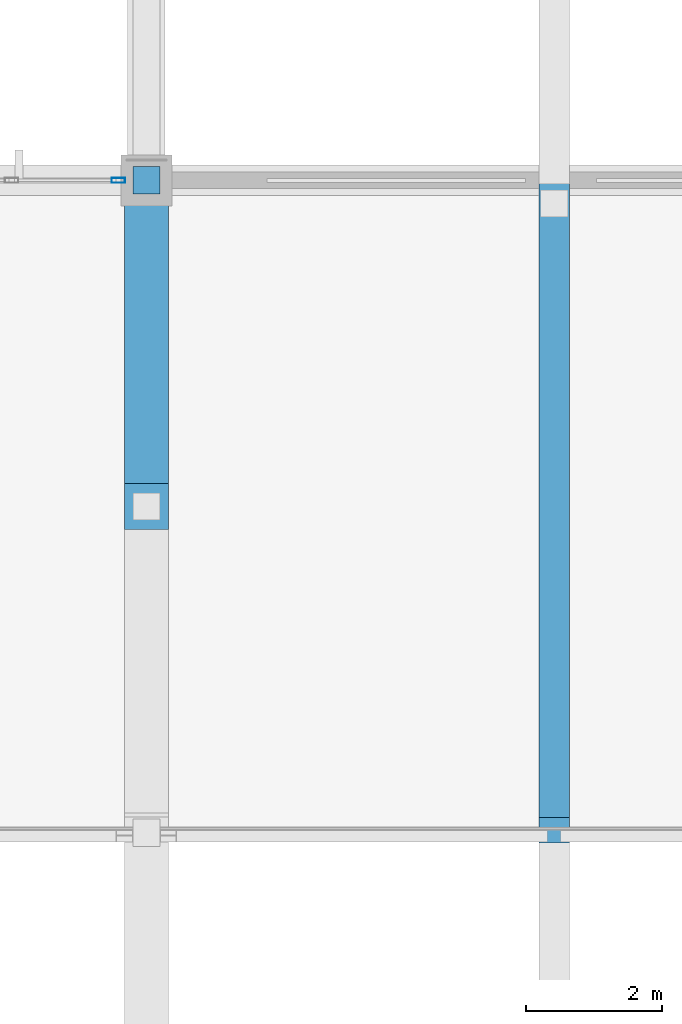
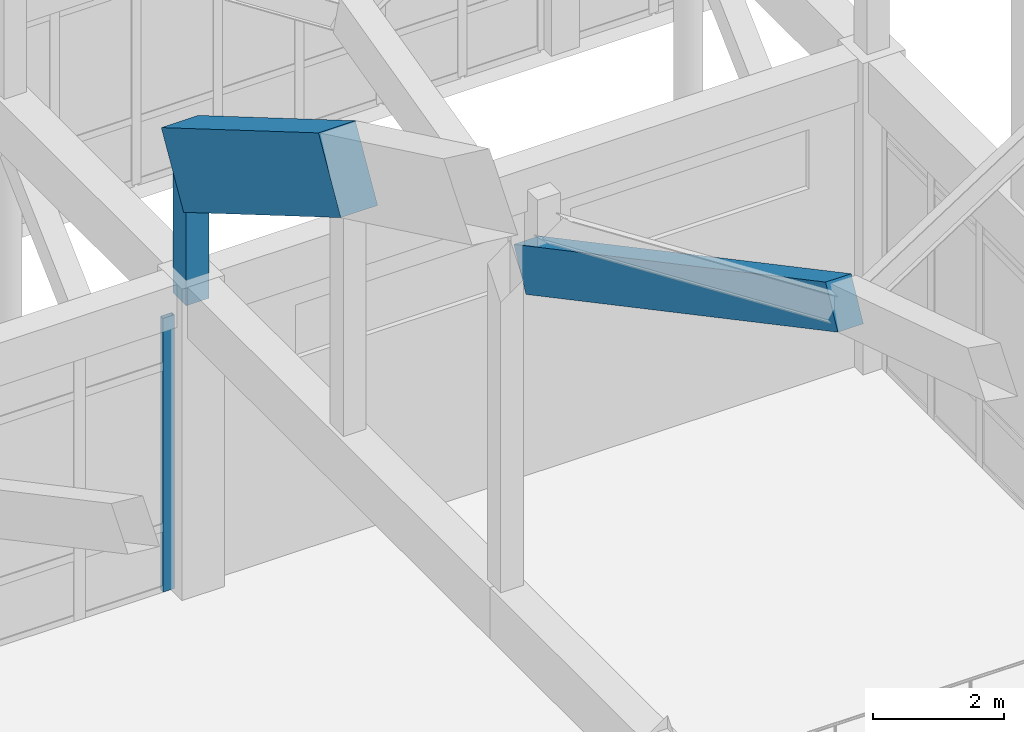
# One storey, part 88 of 236: 3 members, 1 beam, 1 element without a shape of its own.
"""IFC4 building model written with IfcOpenShell, lengths in metres."""

from ifc_helpers import new_model, si_unit, direction, frame, origin, origin_2d, place, context, subcontext, project, spatial, rectangle, hollow_rectangle, extrude, material, layer, layer_set, material_profile, profile_set, type_object, element, aggregate, save


model = new_model("IFC4")

# Units and contexts
model_context = context("Model", 3, precision=1e-05, world=origin(), true_north=direction((0.0, 1.0)))
body_context = subcontext(model_context, "Body", "Model", "MODEL_VIEW")
ifc_project = project(units=[si_unit("LENGTHUNIT", "METRE"), si_unit("AREAUNIT", "SQUARE_METRE"), si_unit("VOLUMEUNIT", "CUBIC_METRE"), si_unit("PLANEANGLEUNIT", "RADIAN"), si_unit("MASSUNIT", "GRAM", prefix="KILO")], contexts=[model_context])

# Site, building, storey
site_placement = place(None, origin())
site = spatial("IfcSite", under=ifc_project, at=site_placement, CompositionType="ELEMENT")
building_placement = place(site_placement, origin())
building = spatial("IfcBuilding", under=site, at=building_placement, Name="Pandanus Reach Market Hall", CompositionType="ELEMENT")
storey_placement = place(building_placement, frame((0.0, 0.0, 5.39990234375)))
storey = spatial("IfcBuildingStorey", under=building, at=storey_placement, Name="L01", CompositionType="ELEMENT", Elevation=5.39990234375)

# Members
ifc_material_1 = material(Name="Concrete N50 (50 MPa)", Category="concrete")
ifc_material_profile_1 = material_profile(ifc_material_1, rectangle(XDim=0.64990234375, YDim=1.35009765625, at=origin_2d()), Name="RC650x1350", Category="LoadBearing")
ifc_profile_set_1 = profile_set([ifc_material_profile_1], Name="Concrete N50 (50 MPa)")
member_type_1 = type_object("IfcMemberType", Name="AR-RC650-E", PredefinedType="CHORD", material=ifc_profile_set_1)
member_1_placement = place(storey_placement, frame((120.0, 81.60009765625, 10.59130859375), z_axis=(0.0, 0.862886095496, -0.505398443013), x_axis=(-1.0, 0.0, 0.0)))
element("IfcMember", 1, at=member_1_placement, inside=storey, type_object=member_type_1, Name="Parabolic arch top chord A7.12", PredefinedType="CHORD", context=body_context, shape_type="SweptSolid", body=[
    extrude(rectangle(XDim=0.64990234375, YDim=1.35009765625, at=origin_2d()), origin(), (0.0, 0.0, 1.0), 5.5625),
])
ifc_material_profile_2 = material_profile(ifc_material_1, rectangle(XDim=0.39990234375, YDim=0.39990234375, at=origin_2d()), Name="RC400x400", Category="LoadBearing")
ifc_profile_set_2 = profile_set([ifc_material_profile_2], Name="Concrete N50 (50 MPa)")
member_type_2 = type_object("IfcMemberType", Name="AR-WEB400-E", PredefinedType="STRUT", material=ifc_profile_set_2)
member_2_placement = place(storey_placement, frame((120.0, 86.39990234375, 5.3251953125), z_axis=(0.0, 0.0, 1.0), x_axis=(1.0, 0.0, 0.0)))
element("IfcMember", 2, at=member_2_placement, inside=storey, type_object=member_type_2, Name="Arch springing concrete strut A7.N", PredefinedType="STRUT", context=body_context, shape_type="SweptSolid", body=[
    extrude(rectangle(XDim=0.39990234375, YDim=0.39990234375, at=origin_2d()), origin(), (0.0, 0.0, 1.0), 2.454833984375),
])

# Beam
ifc_material_2 = material(Name="Concrete N40 (40 MPa)", Category="concrete")
ifc_material_profile_3 = material_profile(ifc_material_2, rectangle(XDim=0.449951171875, YDim=0.800048828125, at=origin_2d()), Name="RC450x800", Category="LoadBearing")
ifc_profile_set_3 = profile_set([ifc_material_profile_3], Name="Concrete N40 (40 MPa)")
beam_type = type_object("IfcBeamType", Name="BM-RC450-I", PredefinedType="BEAM", material=ifc_profile_set_3)
beam_placement = place(storey_placement, frame((126.0, 76.840087890625, 8.88427734375), z_axis=(0.0, 0.882689208935, -0.469957189996), x_axis=(-1.0, 0.0, 0.0)))
element("IfcBeam", 3, at=beam_placement, inside=storey, type_object=beam_type, Name="Butterfly valley beam B7.7", PredefinedType="BEAM", context=body_context, shape_type="SweptSolid", body=[
    extrude(rectangle(XDim=0.449951171875, YDim=0.800048828125, at=origin_2d()), origin(), (0.0, 0.0, 1.0), 10.78515625),
])

# Curtain wall, member
ifc_material_3 = material(Name="Bronze anodised aluminium and low-E glass", Category="aluminium")
ifc_layer = layer(ifc_material_3, 0.199951171875, Name="CW-02")
ifc_layer_set = layer_set([ifc_layer], Name="Bronze anodised aluminium and low-E glass")
curtain_wall_type = type_object("IfcCurtainWallType", Name="CW-02", PredefinedType="NOTDEFINED", material=ifc_layer_set)
curtain_wall_placement = place(storey_placement, origin())
curtain_wall = element("IfcCurtainWall", 4, at=curtain_wall_placement, inside=storey, type_object=curtain_wall_type, Name="Glazed curtain wall CW-02 CW-0016", PredefinedType="NOTDEFINED")
ifc_material_4 = material(Name="Bronze anodised aluminium", Category="aluminium")
ifc_material_profile_4 = material_profile(ifc_material_4, hollow_rectangle(XDim=0.074951171875, YDim=0.199951171875, WallThickness=0.00439453125, at=origin_2d()), Name="ALU75x200", Category="LoadBearing")
ifc_profile_set_4 = profile_set([ifc_material_profile_4], Name="Bronze anodised aluminium")
member_type_3 = type_object("IfcMemberType", Name="CW-M2", PredefinedType="MULLION", material=ifc_profile_set_4)
member_3_placement = place(storey_placement, frame((119.58740234375, 86.39990234375, 0.0), z_axis=(0.0, 0.0, 1.0), x_axis=(0.0, 1.0, 0.0)))
member_3 = element("IfcMember", 5, at=member_3_placement, type_object=member_type_3, Name="CW-02 mullion 8", PredefinedType="MULLION", context=body_context, shape_type="SweptSolid", body=[
    extrude(hollow_rectangle(XDim=0.074951171875, YDim=0.199951171875, WallThickness=0.00439453125, at=origin_2d()), origin(), (0.0, 0.0, 1.0), 5.10009765625),
])
aggregate(curtain_wall, [member_3])

save(model, "model.ifc")
